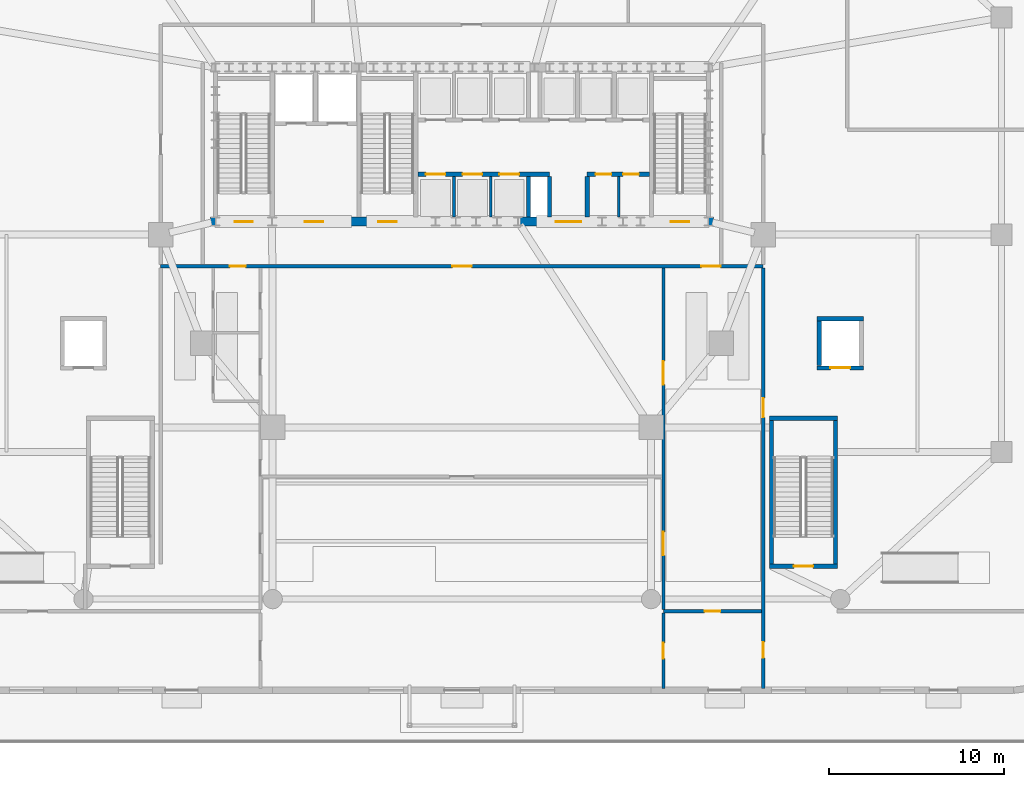
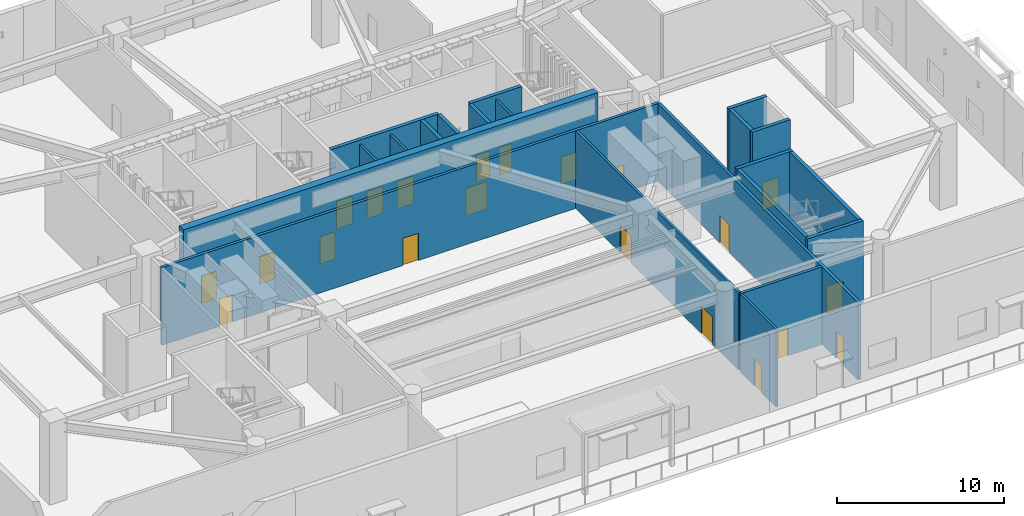
# One storey, part 9 of 21: 21 doors, 21 walls, 21 openings.
"""IFC4 building model written with IfcOpenShell, lengths in metres."""

from ifc_helpers import new_model, si_unit, direction, frame, frame_2d, origin, place, context, subcontext, project, spatial, rectangle, extrude, material, layer, layer_set, type_object, element, fill, save


model = new_model("IFC4")

# Units and contexts
model_context = context("Model", 3, precision=1e-05, world=origin(), true_north=direction((0.0, 1.0)))
body_context = subcontext(model_context, "Body", "Model", "MODEL_VIEW")
ifc_project = project(units=[si_unit("LENGTHUNIT", "METRE"), si_unit("AREAUNIT", "SQUARE_METRE"), si_unit("VOLUMEUNIT", "CUBIC_METRE"), si_unit("PLANEANGLEUNIT", "RADIAN"), si_unit("MASSUNIT", "GRAM", prefix="KILO")], contexts=[model_context])

# Site, building, storey
site_placement = place(None, origin())
site = spatial("IfcSite", under=ifc_project, at=site_placement, CompositionType="ELEMENT")
building_placement = place(site_placement, origin())
building = spatial("IfcBuilding", under=site, at=building_placement, Name="Haldorwick Loom Tower", CompositionType="ELEMENT")
storey_placement = place(building_placement, origin())
storey = spatial("IfcBuildingStorey", under=building, at=storey_placement, Name="L00", CompositionType="ELEMENT", Elevation=0.0)

# Wall, opening, door
ifc_material_1 = material(Name="Fire-Rated Type X Gypsum Stud Assembly EI 60")
ifc_layer_1 = layer(ifc_material_1, 0.159912109375, Name="Fire-Rated Type X Gypsum Stud Assembly EI 60")
ifc_layer_set_1 = layer_set([ifc_layer_1], Name="Fire-Rated Type X Gypsum Stud Assembly EI 60")
wall_type_1 = type_object("IfcWallType", Name="ARC-WL-FIRE160", PredefinedType="PARTITIONING", material=ifc_layer_set_1)
wall_1_placement = place(storey_placement, frame((47.5, 0.10009765625, 0.0), z_axis=(0.0, 0.0, 1.0), x_axis=(0.0, 1.0, 0.0)))
wall_1 = element("IfcWall", 1, at=wall_1_placement, inside=storey, type_object=wall_type_1, Name="L00 Podium Partition L00-W2", PredefinedType="PARTITIONING", context=body_context, shape_type="SweptSolid", body=[
    extrude(rectangle(XDim=4.296875, YDim=0.159912109375, at=frame_2d((2.1484375, 0.0))), origin(), (0.0, 0.0, 1.0), 5.68505859375),
])
opening_1_placement = place(wall_1_placement, frame((1.698486328125, 0.0, 0.0)))
opening_1 = element("IfcOpeningElement", 2, at=opening_1_placement, cuts=wall_1, Name="Opening D-FD60A", PredefinedType="OPENING", context=body_context, shape_type="SweptSolid", body=[
    extrude(rectangle(XDim=0.89990234375, YDim=2.0, at=frame_2d((0.449951171875, 1.0))), frame((0.0, 0.08984375, 0.0), z_axis=(0.0, -1.0, 0.0), x_axis=(1.0, 0.0, 0.0)), (0.0, 0.0, 1.0), 0.179931640625),
])
ifc_material_2 = material(Name="Hollow Steel Fire Door Assembly", Category="steel")
door_type_1 = type_object("IfcDoorType", Name="ARC-DR-FD60-90", OperationType="NOTDEFINED", PredefinedType="DOOR", material=ifc_material_2)
door_1_placement = place(opening_1_placement, origin())
door_1 = element("IfcDoor", 3, at=door_1_placement, inside=storey, type_object=door_type_1, Name="L00 Transit Station Concourse to Fire Command Room Door", OperationType="SINGLE_SWING_LEFT", OverallHeight=2.0, OverallWidth=0.89990234375, PredefinedType="DOOR", context=body_context, shape_type="SweptSolid", body=[
    extrude(rectangle(XDim=0.89990234375, YDim=2.0, at=frame_2d((0.449951171875, 1.0))), frame((0.0, 0.02490234375, 0.0), z_axis=(0.0, -1.0, 0.0), x_axis=(1.0, 0.0, 0.0)), (0.0, 0.0, 1.0), 0.050048828125),
])
fill(opening_1, door_1)

# Wall, openings, doors
wall_2_placement = place(storey_placement, frame((47.5, 4.60302734375, 0.0), z_axis=(0.0, 0.0, 1.0), x_axis=(0.0, 1.0, 0.0)))
wall_2 = element("IfcWall", 4, at=wall_2_placement, inside=storey, type_object=wall_type_1, Name="L00 Podium Partition L00-W2", PredefinedType="PARTITIONING", context=body_context, shape_type="SweptSolid", body=[
    extrude(rectangle(XDim=19.493896484375, YDim=0.159912109375, at=frame_2d((9.7470703125, 0.0))), origin(), (0.0, 0.0, 1.0), 5.68505859375),
])
opening_2_placement = place(wall_2_placement, frame((12.837890625, 0.0, 0.0)))
opening_2 = element("IfcOpeningElement", 5, at=opening_2_placement, cuts=wall_2, Name="Opening D-CR15", PredefinedType="OPENING", context=body_context, shape_type="SweptSolid", body=[
    extrude(rectangle(XDim=1.35009765625, YDim=2.0, at=frame_2d((0.675048828125, 1.0))), frame((0.0, 0.08984375, 0.0), z_axis=(0.0, -1.0, 0.0), x_axis=(1.0, 0.0, 0.0)), (0.0, 0.0, 1.0), 0.179931640625),
])
opening_3_placement = place(wall_2_placement, frame((3.0908203125, 0.0, 0.0)))
opening_3 = element("IfcOpeningElement", 6, at=opening_3_placement, cuts=wall_2, Name="Opening D-CR15", PredefinedType="OPENING", context=body_context, shape_type="SweptSolid", body=[
    extrude(rectangle(XDim=1.35009765625, YDim=2.0, at=frame_2d((0.675048828125, 1.0))), frame((0.0, 0.08984375, 0.0), z_axis=(0.0, -1.0, 0.0), x_axis=(1.0, 0.0, 0.0)), (0.0, 0.0, 1.0), 0.179931640625),
])
ifc_material_3 = material(Name="Thermally Broken Anodized Aluminium and Tempered Glass", Category="aluminium")
door_type_2 = type_object("IfcDoorType", Name="ARC-DR-COR150", OperationType="NOTDEFINED", PredefinedType="DOOR", material=ifc_material_3)
door_2_placement = place(opening_2_placement, origin())
door_2 = element("IfcDoor", 7, at=door_2_placement, inside=storey, type_object=door_type_2, Name="L00 Paid Transit Concourse to Health Clinic Ground Lobby Door", OperationType="DOUBLE_DOOR_SINGLE_SWING", OverallHeight=2.0, OverallWidth=1.35009765625, PredefinedType="DOOR", context=body_context, shape_type="SweptSolid", body=[
    extrude(rectangle(XDim=1.35009765625, YDim=2.0, at=frame_2d((0.675048828125, 1.0))), frame((0.0, 0.02490234375, 0.0), z_axis=(0.0, -1.0, 0.0), x_axis=(1.0, 0.0, 0.0)), (0.0, 0.0, 1.0), 0.050048828125),
])
fill(opening_2, door_2)
door_3_placement = place(opening_3_placement, origin())
door_3 = element("IfcDoor", 8, at=door_3_placement, inside=storey, type_object=door_type_2, Name="L00 Transit Station Concourse to Health Clinic Ground Lobby Door", OperationType="DOUBLE_DOOR_SINGLE_SWING", OverallHeight=2.0, OverallWidth=1.35009765625, PredefinedType="DOOR", context=body_context, shape_type="SweptSolid", body=[
    extrude(rectangle(XDim=1.35009765625, YDim=2.0, at=frame_2d((0.675048828125, 1.0))), frame((0.0, 0.02490234375, 0.0), z_axis=(0.0, -1.0, 0.0), x_axis=(1.0, 0.0, 0.0)), (0.0, 0.0, 1.0), 0.050048828125),
])
fill(opening_3, door_3)

ifc_material_4 = material(Name="Fire-Rated Type X Gypsum Stud Assembly EI 120")
ifc_layer_2 = layer(ifc_material_4, 0.199951171875, Name="Fire-Rated Type X Gypsum Stud Assembly EI 120")
ifc_layer_set_2 = layer_set([ifc_layer_2], Name="Fire-Rated Type X Gypsum Stud Assembly EI 120")
wall_type_2 = type_object("IfcWallType", Name="ARC-WL-FIRE200", PredefinedType="PARTITIONING", material=ifc_layer_set_2)
wall_3_placement = place(storey_placement, frame((18.800048828125, 24.199951171875, 0.0), z_axis=(0.0, 0.0, 1.0), x_axis=(1.0, 0.0, 0.0)))
wall_3 = element("IfcWall", 9, at=wall_3_placement, inside=storey, type_object=wall_type_2, Name="L00 Podium Partition L00-EP1", PredefinedType="PARTITIONING", context=body_context, shape_type="SweptSolid", body=[
    extrude(rectangle(XDim=34.39990234375, YDim=0.199951171875, at=frame_2d((17.199951171875, 0.0))), origin(), (0.0, 0.0, 1.0), 5.68505859375),
])
opening_4_placement = place(wall_3_placement, frame((16.64990234375, 0.0, 0.0)))
opening_4 = element("IfcOpeningElement", 10, at=opening_4_placement, cuts=wall_3, Name="Opening D-FD90", PredefinedType="OPENING", context=body_context, shape_type="SweptSolid", body=[
    extrude(rectangle(XDim=1.10009765625, YDim=2.0, at=frame_2d((0.550048828125, 1.0))), frame((0.0, 0.10986328125, 0.0), z_axis=(0.0, -1.0, 0.0), x_axis=(1.0, 0.0, 0.0)), (0.0, 0.0, 1.0), 0.219970703125),
])
opening_5_placement = place(wall_3_placement, frame((30.863525390625, 0.0, 0.0)))
opening_5 = element("IfcOpeningElement", 11, at=opening_5_placement, cuts=wall_3, Name="Opening D-FD90", PredefinedType="OPENING", context=body_context, shape_type="SweptSolid", body=[
    extrude(rectangle(XDim=1.10009765625, YDim=2.0, at=frame_2d((0.550048828125, 1.0))), frame((0.0, 0.10986328125, 0.0), z_axis=(0.0, -1.0, 0.0), x_axis=(1.0, 0.0, 0.0)), (0.0, 0.0, 1.0), 0.219970703125),
])
opening_6_placement = place(wall_3_placement, frame((3.960205078125, 0.0, 0.0)))
opening_6 = element("IfcOpeningElement", 12, at=opening_6_placement, cuts=wall_3, Name="Opening D-FD60A", PredefinedType="OPENING", context=body_context, shape_type="SweptSolid", body=[
    extrude(rectangle(XDim=0.89990234375, YDim=2.0, at=frame_2d((0.449951171875, 1.0))), frame((0.0, 0.10986328125, 0.0), z_axis=(0.0, -1.0, 0.0), x_axis=(1.0, 0.0, 0.0)), (0.0, 0.0, 1.0), 0.219970703125),
])
door_4_placement = place(opening_6_placement, origin())
door_4 = element("IfcDoor", 13, at=door_4_placement, inside=storey, type_object=door_type_1, Name="L00 Protected Core Exit Passageway to Accessible WC Door", OperationType="SINGLE_SWING_RIGHT", OverallHeight=2.0, OverallWidth=0.89990234375, PredefinedType="DOOR", context=body_context, shape_type="SweptSolid", body=[
    extrude(rectangle(XDim=0.89990234375, YDim=2.0, at=frame_2d((0.449951171875, 1.0))), frame((0.0, 0.02490234375, 0.0), z_axis=(0.0, -1.0, 0.0), x_axis=(1.0, 0.0, 0.0)), (0.0, 0.0, 1.0), 0.050048828125),
])
fill(opening_6, door_4)
door_type_3 = type_object("IfcDoorType", Name="ARC-DR-FD90", OperationType="NOTDEFINED", PredefinedType="DOOR", material=ifc_material_2)
door_5_placement = place(opening_4_placement, frame((1.10009765625, 0.0, 0.0), z_axis=(0.0, 0.0, 1.0), x_axis=(-1.0, 0.0, 0.0)))
door_5 = element("IfcDoor", 14, at=door_5_placement, inside=storey, type_object=door_type_3, Name="L00 Protected Core Exit Passageway to Paid Transit Concourse Door", OperationType="SINGLE_SWING_RIGHT", OverallHeight=2.0, OverallWidth=1.10009765625, PredefinedType="DOOR", context=body_context, shape_type="SweptSolid", body=[
    extrude(rectangle(XDim=1.10009765625, YDim=2.0, at=frame_2d((0.550048828125, 1.0))), frame((0.0, 0.02490234375, 0.0), z_axis=(0.0, -1.0, 0.0), x_axis=(1.0, 0.0, 0.0)), (0.0, 0.0, 1.0), 0.050048828125),
])
fill(opening_4, door_5)
door_6_placement = place(opening_5_placement, frame((1.10009765625, 0.0, 0.0), z_axis=(0.0, 0.0, 1.0), x_axis=(-1.0, 0.0, 0.0)))
door_6 = element("IfcDoor", 15, at=door_6_placement, inside=storey, type_object=door_type_3, Name="L00 Protected Core Exit Passageway to Health Clinic Ground Lobby Door", OperationType="SINGLE_SWING_LEFT", OverallHeight=2.0, OverallWidth=1.10009765625, PredefinedType="DOOR", context=body_context, shape_type="SweptSolid", body=[
    extrude(rectangle(XDim=1.10009765625, YDim=2.0, at=frame_2d((0.550048828125, 1.0))), frame((0.0, 0.02490234375, 0.0), z_axis=(0.0, -1.0, 0.0), x_axis=(1.0, 0.0, 0.0)), (0.0, 0.0, 1.0), 0.050048828125),
])
fill(opening_5, door_6)

wall_4_placement = place(storey_placement, frame((53.199951171875, 0.10009765625, 0.0), z_axis=(0.0, 0.0, 1.0), x_axis=(0.0, 1.0, 0.0)))
wall_4 = element("IfcWall", 16, at=wall_4_placement, inside=storey, type_object=wall_type_2, Name="L00 Podium Partition L00-EPE1", PredefinedType="PARTITIONING", context=body_context, shape_type="SweptSolid", body=[
    extrude(rectangle(XDim=23.996826171875, YDim=0.199951171875, at=frame_2d((11.99853515625, 0.0))), origin(), (0.0, 0.0, 1.0), 5.68505859375),
])
opening_7_placement = place(wall_4_placement, frame((15.4794921875, 0.0, 0.0)))
opening_7 = element("IfcOpeningElement", 17, at=opening_7_placement, cuts=wall_4, Name="Opening D-FD90", PredefinedType="OPENING", context=body_context, shape_type="SweptSolid", body=[
    extrude(rectangle(XDim=1.10009765625, YDim=2.0, at=frame_2d((0.550048828125, 1.0))), frame((0.0, 0.10986328125, 0.0), z_axis=(0.0, -1.0, 0.0), x_axis=(1.0, 0.0, 0.0)), (0.0, 0.0, 1.0), 0.219970703125),
])
opening_8_placement = place(wall_4_placement, frame((1.751708984375, 0.0, 0.0)))
opening_8 = element("IfcOpeningElement", 18, at=opening_8_placement, cuts=wall_4, Name="Opening D-FD60A", PredefinedType="OPENING", context=body_context, shape_type="SweptSolid", body=[
    extrude(rectangle(XDim=0.89990234375, YDim=2.0, at=frame_2d((0.449951171875, 1.0))), frame((0.0, 0.10986328125, 0.0), z_axis=(0.0, -1.0, 0.0), x_axis=(1.0, 0.0, 0.0)), (0.0, 0.0, 1.0), 0.219970703125),
])
door_7_placement = place(opening_8_placement, frame((0.89990234375, 0.0, 0.0), z_axis=(0.0, 0.0, 1.0), x_axis=(-1.0, 0.0, 0.0)))
door_7 = element("IfcDoor", 19, at=door_7_placement, inside=storey, type_object=door_type_1, Name="L00 Fire Command Room to East Podium Exit Passageway Door", OperationType="SINGLE_SWING_RIGHT", OverallHeight=2.0, OverallWidth=0.89990234375, PredefinedType="DOOR", context=body_context, shape_type="SweptSolid", body=[
    extrude(rectangle(XDim=0.89990234375, YDim=2.0, at=frame_2d((0.449951171875, 1.0))), frame((0.0, 0.02490234375, 0.0), z_axis=(0.0, -1.0, 0.0), x_axis=(1.0, 0.0, 0.0)), (0.0, 0.0, 1.0), 0.050048828125),
])
fill(opening_8, door_7)
door_8_placement = place(opening_7_placement, origin())
door_8 = element("IfcDoor", 20, at=door_8_placement, inside=storey, type_object=door_type_3, Name="L00 Health Clinic Ground Lobby to East Podium Exit Passageway Door", OperationType="SINGLE_SWING_RIGHT", OverallHeight=2.0, OverallWidth=1.10009765625, PredefinedType="DOOR", context=body_context, shape_type="SweptSolid", body=[
    extrude(rectangle(XDim=1.10009765625, YDim=2.0, at=frame_2d((0.550048828125, 1.0))), frame((0.0, 0.02490234375, 0.0), z_axis=(0.0, -1.0, 0.0), x_axis=(1.0, 0.0, 0.0)), (0.0, 0.0, 1.0), 0.050048828125),
])
fill(opening_7, door_8)

# Wall, opening, door
wall_5_placement = place(storey_placement, frame((47.5, 4.5, 0.0), z_axis=(0.0, 0.0, 1.0), x_axis=(1.0, 0.0, 0.0)))
wall_5 = element("IfcWall", 21, at=wall_5_placement, inside=storey, type_object=wall_type_2, Name="L00 Podium Partition L00-FCN", PredefinedType="PARTITIONING", context=body_context, shape_type="SweptSolid", body=[
    extrude(rectangle(XDim=5.596923828125, YDim=0.199951171875, at=frame_2d((2.79833984375, 0.0))), origin(), (0.0, 0.0, 1.0), 5.68505859375),
])
opening_9_placement = place(wall_5_placement, frame((2.348388671875, 0.0, 0.0)))
opening_9 = element("IfcOpeningElement", 22, at=opening_9_placement, cuts=wall_5, Name="Opening D-FD60A", PredefinedType="OPENING", context=body_context, shape_type="SweptSolid", body=[
    extrude(rectangle(XDim=0.89990234375, YDim=2.0, at=frame_2d((0.449951171875, 1.0))), frame((0.0, 0.10986328125, 0.0), z_axis=(0.0, -1.0, 0.0), x_axis=(1.0, 0.0, 0.0)), (0.0, 0.0, 1.0), 0.219970703125),
])
door_9_placement = place(opening_9_placement, origin())
door_9 = element("IfcDoor", 23, at=door_9_placement, inside=storey, type_object=door_type_1, Name="L00 Health Clinic Ground Lobby to Fire Command Room Door", OperationType="SINGLE_SWING_LEFT", OverallHeight=2.0, OverallWidth=0.89990234375, PredefinedType="DOOR", context=body_context, shape_type="SweptSolid", body=[
    extrude(rectangle(XDim=0.89990234375, YDim=2.0, at=frame_2d((0.449951171875, 1.0))), frame((0.0, 0.02490234375, 0.0), z_axis=(0.0, -1.0, 0.0), x_axis=(1.0, 0.0, 0.0)), (0.0, 0.0, 1.0), 0.050048828125),
])
fill(opening_9, door_9)

# Walls
ifc_layer_3 = layer(ifc_material_1, 0.139892578125, Name="Fire-Rated Type X Gypsum Stud Assembly EI 60")
ifc_layer_set_3 = layer_set([ifc_layer_3], Name="Fire-Rated Type X Gypsum Stud Assembly EI 60")
wall_type_3 = type_object("IfcWallType", Name="ARC-WL-PART140", PredefinedType="PARTITIONING", material=ifc_layer_set_3)
wall_6_placement = place(storey_placement, frame((44.949951171875, 27.0029296875, 0.0), z_axis=(0.0, 0.0, 1.0), x_axis=(0.0, 1.0, 0.0)))
element("IfcWall", 24, at=wall_6_placement, inside=storey, type_object=wall_type_3, Name="L00 Service Partition", PredefinedType="PARTITIONING", context=body_context, shape_type="SweptSolid", body=[
    extrude(rectangle(XDim=2.323974609375, YDim=0.139892578125, at=frame_2d((1.162109375, 0.0))), origin(), (0.0, 0.0, 1.0), 5.68505859375),
])
ifc_layer_4 = layer(ifc_material_4, 0.1650390625, Name="Fire-Rated Type X Gypsum Stud Assembly EI 120")
ifc_layer_set_4 = layer_set([ifc_layer_4], Name="Fire-Rated Type X Gypsum Stud Assembly EI 120")
wall_type_4 = type_object("IfcWallType", Name="ARC-WL-SHAFT160", PredefinedType="MOVABLE", material=ifc_layer_set_4)
for number, where, z_axis, x_axis, name in (
    (25, (35.550048828125, 27.0029296875, 0.0), (0.0, 0.0, 1.0), (0.0, 1.0, 0.0), "L00 Mid-Rise Hoistway Divider 1"),
    (26, (37.64990234375, 27.0029296875, 0.0), (0.0, 0.0, 1.0), (0.0, 1.0, 0.0), "L00 Mid-Rise Hoistway Divider 2"),
):
    element("IfcWall", number, at=place(storey_placement, frame(where, z_axis=z_axis, x_axis=x_axis)), inside=storey, type_object=wall_type_4, Name=name, PredefinedType="MOVABLE", context=body_context, shape_type="SweptSolid", body=[
        extrude(rectangle(XDim=2.323974609375, YDim=0.159912109375, at=frame_2d((1.162109375, 0.0))), origin(), (0.0, 0.0, 1.0), 5.68505859375),
    ])

# Wall, openings, doors
ifc_material_5 = material(Name="Concrete C60 (60 MPa)", Category="concrete")
ifc_layer_5 = layer(ifc_material_5, 0.5, Name="Concrete C60 (60 MPa)", Category="concrete")
ifc_layer_set_5 = layer_set([ifc_layer_5], Name="Concrete C60 (60 MPa)")
wall_type_5 = type_object("IfcWallType", Name="STR-WL-CORE500", PredefinedType="SHEAR", material=ifc_layer_set_5)
wall_7_placement = place(storey_placement, frame((21.64990234375, 26.75, 0.0), z_axis=(0.0, 0.0, 1.0), x_axis=(1.0, 0.0, 0.0)))
wall_7 = element("IfcWall", 27, at=wall_7_placement, inside=storey, type_object=wall_type_5, Name="L00 Core Shear Wall S", PredefinedType="SHEAR", context=body_context, shape_type="SweptSolid", body=[
    extrude(rectangle(XDim=28.7001953125, YDim=0.5, at=frame_2d((14.35009765625, 0.0))), origin(), (0.0, 0.0, 1.0), 6.0),
])
opening_10_placement = place(wall_7_placement, frame((1.375, 0.0, 0.0)))
opening_10 = element("IfcOpeningElement", 28, at=opening_10_placement, cuts=wall_7, Name="Opening D-FD60", PredefinedType="OPENING", context=body_context, shape_type="SweptSolid", body=[
    extrude(rectangle(XDim=1.050048828125, YDim=2.0, at=frame_2d((0.52490234375, 1.0))), frame((0.0, 0.260009765625, 0.0), z_axis=(0.0, -1.0, 0.0), x_axis=(1.0, 0.0, 0.0)), (0.0, 0.0, 1.0), 0.52001953125),
])
opening_11_placement = place(wall_7_placement, frame((5.375, 0.0, 0.0)))
opening_11 = element("IfcOpeningElement", 29, at=opening_11_placement, cuts=wall_7, Name="Opening D-FD60", PredefinedType="OPENING", context=body_context, shape_type="SweptSolid", body=[
    extrude(rectangle(XDim=1.050048828125, YDim=2.0, at=frame_2d((0.52490234375, 1.0))), frame((0.0, 0.260009765625, 0.0), z_axis=(0.0, -1.0, 0.0), x_axis=(1.0, 0.0, 0.0)), (0.0, 0.0, 1.0), 0.52001953125),
])
opening_12_placement = place(wall_7_placement, frame((9.574951171875, 0.0, 0.0)))
opening_12 = element("IfcOpeningElement", 30, at=opening_12_placement, cuts=wall_7, Name="Opening D-FD60", PredefinedType="OPENING", context=body_context, shape_type="SweptSolid", body=[
    extrude(rectangle(XDim=1.050048828125, YDim=2.0, at=frame_2d((0.52490234375, 1.0))), frame((0.0, 0.260009765625, 0.0), z_axis=(0.0, -1.0, 0.0), x_axis=(1.0, 0.0, 0.0)), (0.0, 0.0, 1.0), 0.52001953125),
])
opening_13_placement = place(wall_7_placement, frame((19.705078125, 0.0, 0.0)))
opening_13 = element("IfcOpeningElement", 31, at=opening_13_placement, cuts=wall_7, Name="Opening D-LB15", PredefinedType="OPENING", context=body_context, shape_type="SweptSolid", body=[
    extrude(rectangle(XDim=1.449951171875, YDim=2.0, at=frame_2d((0.72509765625, 1.0))), frame((0.0, 0.260009765625, 0.0), z_axis=(0.0, -1.0, 0.0), x_axis=(1.0, 0.0, 0.0)), (0.0, 0.0, 1.0), 0.52001953125),
])
opening_14_placement = place(wall_7_placement, frame((26.27490234375, 0.0, 0.0)))
opening_14 = element("IfcOpeningElement", 32, at=opening_14_placement, cuts=wall_7, Name="Opening D-FD60", PredefinedType="OPENING", context=body_context, shape_type="SweptSolid", body=[
    extrude(rectangle(XDim=1.050048828125, YDim=2.0, at=frame_2d((0.52490234375, 1.0))), frame((0.0, 0.260009765625, 0.0), z_axis=(0.0, -1.0, 0.0), x_axis=(1.0, 0.0, 0.0)), (0.0, 0.0, 1.0), 0.52001953125),
])
door_type_4 = type_object("IfcDoorType", Name="ARC-DR-FD60", OperationType="NOTDEFINED", PredefinedType="DOOR", material=ifc_material_2)
door_10_placement = place(opening_10_placement, frame((1.050048828125, 0.0, 0.0), z_axis=(0.0, 0.0, 1.0), x_axis=(-1.0, 0.0, 0.0)))
door_10 = element("IfcDoor", 33, at=door_10_placement, inside=storey, type_object=door_type_4, Name="L00 Exit Stair ST-01 Fire Door", OperationType="SINGLE_SWING_RIGHT", OverallHeight=2.0, OverallWidth=1.050048828125, PredefinedType="DOOR", context=body_context, shape_type="SweptSolid", body=[
    extrude(rectangle(XDim=1.050048828125, YDim=2.0, at=frame_2d((0.52490234375, 1.0))), frame((0.0, 0.02490234375, 0.0), z_axis=(0.0, -1.0, 0.0), x_axis=(1.0, 0.0, 0.0)), (0.0, 0.0, 1.0), 0.050048828125),
])
fill(opening_10, door_10)
door_11_placement = place(opening_11_placement, frame((1.050048828125, 0.0, 0.0), z_axis=(0.0, 0.0, 1.0), x_axis=(-1.0, 0.0, 0.0)))
door_11 = element("IfcDoor", 34, at=door_11_placement, inside=storey, type_object=door_type_4, Name="L00 Firefighting Lift Lobby Fire Door", OperationType="SINGLE_SWING_LEFT", OverallHeight=2.0, OverallWidth=1.050048828125, PredefinedType="DOOR", context=body_context, shape_type="SweptSolid", body=[
    extrude(rectangle(XDim=1.050048828125, YDim=2.0, at=frame_2d((0.52490234375, 1.0))), frame((0.0, 0.02490234375, 0.0), z_axis=(0.0, -1.0, 0.0), x_axis=(1.0, 0.0, 0.0)), (0.0, 0.0, 1.0), 0.050048828125),
])
fill(opening_11, door_11)
door_12_placement = place(opening_12_placement, frame((1.050048828125, 0.0, 0.0), z_axis=(0.0, 0.0, 1.0), x_axis=(-1.0, 0.0, 0.0)))
door_12 = element("IfcDoor", 35, at=door_12_placement, inside=storey, type_object=door_type_4, Name="L00 Exit Stair ST-03 Fire Door", OperationType="SINGLE_SWING_LEFT", OverallHeight=2.0, OverallWidth=1.050048828125, PredefinedType="DOOR", context=body_context, shape_type="SweptSolid", body=[
    extrude(rectangle(XDim=1.050048828125, YDim=2.0, at=frame_2d((0.52490234375, 1.0))), frame((0.0, 0.02490234375, 0.0), z_axis=(0.0, -1.0, 0.0), x_axis=(1.0, 0.0, 0.0)), (0.0, 0.0, 1.0), 0.050048828125),
])
fill(opening_12, door_12)
door_13_placement = place(opening_14_placement, frame((1.050048828125, 0.0, 0.0), z_axis=(0.0, 0.0, 1.0), x_axis=(-1.0, 0.0, 0.0)))
door_13 = element("IfcDoor", 36, at=door_13_placement, inside=storey, type_object=door_type_4, Name="L00 Exit Stair ST-02 Fire Door", OperationType="SINGLE_SWING_LEFT", OverallHeight=2.0, OverallWidth=1.050048828125, PredefinedType="DOOR", context=body_context, shape_type="SweptSolid", body=[
    extrude(rectangle(XDim=1.050048828125, YDim=2.0, at=frame_2d((0.52490234375, 1.0))), frame((0.0, 0.02490234375, 0.0), z_axis=(0.0, -1.0, 0.0), x_axis=(1.0, 0.0, 0.0)), (0.0, 0.0, 1.0), 0.050048828125),
])
fill(opening_14, door_13)
door_type_5 = type_object("IfcDoorType", Name="ARC-DR-LOB150", OperationType="NOTDEFINED", PredefinedType="DOOR", material=ifc_material_3)
door_14_placement = place(opening_13_placement, frame((1.449951171875, 0.0, 0.0), z_axis=(0.0, 0.0, 1.0), x_axis=(-1.0, 0.0, 0.0)))
door_14 = element("IfcDoor", 37, at=door_14_placement, inside=storey, type_object=door_type_5, Name="L00 Passenger Lift Lobby Fire Door", OperationType="DOUBLE_DOOR_SINGLE_SWING", OverallHeight=2.0, OverallWidth=1.449951171875, PredefinedType="DOOR", context=body_context, shape_type="SweptSolid", body=[
    extrude(rectangle(XDim=1.449951171875, YDim=2.0, at=frame_2d((0.72509765625, 1.0))), frame((0.0, 0.02490234375, 0.0), z_axis=(0.0, -1.0, 0.0), x_axis=(1.0, 0.0, 0.0)), (0.0, 0.0, 1.0), 0.050048828125),
])
fill(opening_13, door_14)

ifc_material_6 = material(Name="Concrete C50 (50 MPa)", Category="concrete")
ifc_layer_6 = layer(ifc_material_6, 0.239990234375, Name="Concrete C50 (50 MPa)", Category="concrete")
ifc_layer_set_6 = layer_set([ifc_layer_6], Name="Concrete C50 (50 MPa)")
wall_type_6 = type_object("IfcWallType", Name="STR-WL-SHAFT240", PredefinedType="SHEAR", material=ifc_layer_set_6)
wall_8_placement = place(storey_placement, frame((33.492919921875, 29.449951171875, 0.0), z_axis=(0.0, 0.0, 1.0), x_axis=(1.0, 0.0, 0.0)))
wall_8 = element("IfcWall", 38, at=wall_8_placement, inside=storey, type_object=wall_type_6, Name="L00 Core Shear Wall LS1", PredefinedType="SHEAR", context=body_context, shape_type="SweptSolid", body=[
    extrude(rectangle(XDim=7.507080078125, YDim=0.239990234375, at=frame_2d((3.75341796875, 0.0))), origin(), (0.0, 0.0, 1.0), 6.0),
])
opening_15_placement = place(wall_8_placement, frame((0.447021484375, 0.0, 0.0)))
opening_15 = element("IfcOpeningElement", 39, at=opening_15_placement, cuts=wall_8, Name="Opening LD-M1", PredefinedType="OPENING", context=body_context, shape_type="SweptSolid", body=[
    extrude(rectangle(XDim=1.1201171875, YDim=2.0, at=frame_2d((0.56005859375, 1.0))), frame((0.0, 0.1298828125, 0.0), z_axis=(0.0, -1.0, 0.0), x_axis=(1.0, 0.0, 0.0)), (0.0, 0.0, 1.0), 0.260009765625),
])
opening_16_placement = place(wall_8_placement, frame((2.547119140625, 0.0, 0.0)))
opening_16 = element("IfcOpeningElement", 40, at=opening_16_placement, cuts=wall_8, Name="Opening LD-M2", PredefinedType="OPENING", context=body_context, shape_type="SweptSolid", body=[
    extrude(rectangle(XDim=1.1201171875, YDim=2.0, at=frame_2d((0.56005859375, 1.0))), frame((0.0, 0.1298828125, 0.0), z_axis=(0.0, -1.0, 0.0), x_axis=(1.0, 0.0, 0.0)), (0.0, 0.0, 1.0), 0.260009765625),
])
opening_17_placement = place(wall_8_placement, frame((4.64697265625, 0.0, 0.0)))
opening_17 = element("IfcOpeningElement", 41, at=opening_17_placement, cuts=wall_8, Name="Opening LD-M3", PredefinedType="OPENING", context=body_context, shape_type="SweptSolid", body=[
    extrude(rectangle(XDim=1.1201171875, YDim=2.0, at=frame_2d((0.56005859375, 1.0))), frame((0.0, 0.1298828125, 0.0), z_axis=(0.0, -1.0, 0.0), x_axis=(1.0, 0.0, 0.0)), (0.0, 0.0, 1.0), 0.260009765625),
])
door_type_6 = type_object("IfcDoorType", Name="ARC-DR-LD-PAX", OperationType="NOTDEFINED", PredefinedType="USERDEFINED", material=ifc_material_2)
door_15_placement = place(opening_15_placement, origin())
door_15 = element("IfcDoor", 42, at=door_15_placement, inside=storey, type_object=door_type_6, Name="L00 Lift LF-M1 Sliding Landing Door", ObjectType="LANDING DOOR", OperationType="DOUBLE_DOOR_SLIDING", OverallHeight=2.0, OverallWidth=1.1201171875, PredefinedType="USERDEFINED", context=body_context, shape_type="SweptSolid", body=[
    extrude(rectangle(XDim=1.1201171875, YDim=2.0, at=frame_2d((0.56005859375, 1.0))), frame((0.0, 0.02490234375, 0.0), z_axis=(0.0, -1.0, 0.0), x_axis=(1.0, 0.0, 0.0)), (0.0, 0.0, 1.0), 0.050048828125),
])
fill(opening_15, door_15)
door_16_placement = place(opening_16_placement, origin())
door_16 = element("IfcDoor", 43, at=door_16_placement, inside=storey, type_object=door_type_6, Name="L00 Lift LF-M2 Sliding Landing Door", ObjectType="LANDING DOOR", OperationType="DOUBLE_DOOR_SLIDING", OverallHeight=2.0, OverallWidth=1.1201171875, PredefinedType="USERDEFINED", context=body_context, shape_type="SweptSolid", body=[
    extrude(rectangle(XDim=1.1201171875, YDim=2.0, at=frame_2d((0.56005859375, 1.0))), frame((0.0, 0.02490234375, 0.0), z_axis=(0.0, -1.0, 0.0), x_axis=(1.0, 0.0, 0.0)), (0.0, 0.0, 1.0), 0.050048828125),
])
fill(opening_16, door_16)
door_17_placement = place(opening_17_placement, origin())
door_17 = element("IfcDoor", 44, at=door_17_placement, inside=storey, type_object=door_type_6, Name="L00 Lift LF-M3 Sliding Landing Door", ObjectType="LANDING DOOR", OperationType="DOUBLE_DOOR_SLIDING", OverallHeight=2.0, OverallWidth=1.1201171875, PredefinedType="USERDEFINED", context=body_context, shape_type="SweptSolid", body=[
    extrude(rectangle(XDim=1.1201171875, YDim=2.0, at=frame_2d((0.56005859375, 1.0))), frame((0.0, 0.02490234375, 0.0), z_axis=(0.0, -1.0, 0.0), x_axis=(1.0, 0.0, 0.0)), (0.0, 0.0, 1.0), 0.050048828125),
])
fill(opening_17, door_17)

wall_9_placement = place(storey_placement, frame((43.14990234375, 29.449951171875, 0.0), z_axis=(0.0, 0.0, 1.0), x_axis=(1.0, 0.0, 0.0)))
wall_9 = element("IfcWall", 45, at=wall_9_placement, inside=storey, type_object=wall_type_6, Name="L00 Core Shear Wall LS2", PredefinedType="SHEAR", context=body_context, shape_type="SweptSolid", body=[
    extrude(rectangle(XDim=3.55712890625, YDim=0.239990234375, at=frame_2d((1.778564453125, 0.0))), origin(), (0.0, 0.0, 1.0), 6.0),
])
opening_18_placement = place(wall_9_placement, frame((0.47998046875, 0.0, 0.0)))
opening_18 = element("IfcOpeningElement", 46, at=opening_18_placement, cuts=wall_9, Name="Opening D-FD60A", PredefinedType="OPENING", context=body_context, shape_type="SweptSolid", body=[
    extrude(rectangle(XDim=0.89990234375, YDim=2.0, at=frame_2d((0.449951171875, 1.0))), frame((0.0, 0.1298828125, 0.0), z_axis=(0.0, -1.0, 0.0), x_axis=(1.0, 0.0, 0.0)), (0.0, 0.0, 1.0), 0.260009765625),
])
opening_19_placement = place(wall_9_placement, frame((2.050048828125, 0.0, 0.0)))
opening_19 = element("IfcOpeningElement", 47, at=opening_19_placement, cuts=wall_9, Name="Opening D-FD60A", PredefinedType="OPENING", context=body_context, shape_type="SweptSolid", body=[
    extrude(rectangle(XDim=0.89990234375, YDim=2.0, at=frame_2d((0.449951171875, 1.0))), frame((0.0, 0.1298828125, 0.0), z_axis=(0.0, -1.0, 0.0), x_axis=(1.0, 0.0, 0.0)), (0.0, 0.0, 1.0), 0.260009765625),
])
door_18_placement = place(opening_18_placement, origin())
door_18 = element("IfcDoor", 48, at=door_18_placement, inside=storey, type_object=door_type_1, Name="L00 Electrical Room Door", OperationType="SINGLE_SWING_LEFT", OverallHeight=2.0, OverallWidth=0.89990234375, PredefinedType="DOOR", context=body_context, shape_type="SweptSolid", body=[
    extrude(rectangle(XDim=0.89990234375, YDim=2.0, at=frame_2d((0.449951171875, 1.0))), frame((0.0, 0.02490234375, 0.0), z_axis=(0.0, -1.0, 0.0), x_axis=(1.0, 0.0, 0.0)), (0.0, 0.0, 1.0), 0.050048828125),
])
fill(opening_18, door_18)
door_19_placement = place(opening_19_placement, origin())
door_19 = element("IfcDoor", 49, at=door_19_placement, inside=storey, type_object=door_type_1, Name="L00 Cleaner's Store Door", OperationType="SINGLE_SWING_LEFT", OverallHeight=2.0, OverallWidth=0.89990234375, PredefinedType="DOOR", context=body_context, shape_type="SweptSolid", body=[
    extrude(rectangle(XDim=0.89990234375, YDim=2.0, at=frame_2d((0.449951171875, 1.0))), frame((0.0, 0.02490234375, 0.0), z_axis=(0.0, -1.0, 0.0), x_axis=(1.0, 0.0, 0.0)), (0.0, 0.0, 1.0), 0.050048828125),
])
fill(opening_19, door_19)

# Walls
for number, where, z_axis, x_axis, name in (
    (50, (41.0, 27.0029296875, 0.0), (0.0, 0.0, 1.0), (0.0, 1.0, 0.0), "L00 Core Shear Wall THW"),
    (51, (43.14990234375, 27.0029296875, 0.0), (0.0, 0.0, 1.0), (0.0, 1.0, 0.0), "L00 Core Shear Wall THE"),
    (52, (39.800048828125, 27.0029296875, 0.0), (0.0, 0.0, 1.0), (0.0, 1.0, 0.0), "L00 Core Shear Wall MRW"),
):
    element("IfcWall", number, at=place(storey_placement, frame(where, z_axis=z_axis, x_axis=x_axis)), inside=storey, type_object=wall_type_6, Name=name, PredefinedType="SHEAR", context=body_context, shape_type="SweptSolid", body=[
        extrude(rectangle(XDim=2.323974609375, YDim=0.239990234375, at=frame_2d((1.162109375, 0.0))), origin(), (0.0, 0.0, 1.0), 6.0),
    ])

# Wall, opening, door
wall_10_placement = place(storey_placement, frame((53.56005859375, 7.080078125, 0.0), z_axis=(0.0, 0.0, 1.0), x_axis=(1.0, 0.0, 0.0)))
wall_10 = element("IfcWall", 53, at=wall_10_placement, inside=storey, type_object=wall_type_6, Name="L00 Exit Stairwell ST-P2 Wall", PredefinedType="SHEAR", context=body_context, shape_type="SweptSolid", body=[
    extrude(rectangle(XDim=3.8798828125, YDim=0.239990234375, at=frame_2d((1.93994140625, 0.0))), origin(), (0.0, 0.0, 1.0), 6.0),
])
opening_20_placement = place(wall_10_placement, frame((1.389892578125, 0.0, 0.0)))
opening_20 = element("IfcOpeningElement", 54, at=opening_20_placement, cuts=wall_10, Name="Opening D-FD90", PredefinedType="OPENING", context=body_context, shape_type="SweptSolid", body=[
    extrude(rectangle(XDim=1.10009765625, YDim=2.0, at=frame_2d((0.550048828125, 1.0))), frame((0.0, 0.1298828125, 0.0), z_axis=(0.0, -1.0, 0.0), x_axis=(1.0, 0.0, 0.0)), (0.0, 0.0, 1.0), 0.260009765625),
])
door_20_placement = place(opening_20_placement, frame((1.10009765625, 0.0, 0.0), z_axis=(0.0, 0.0, 1.0), x_axis=(-1.0, 0.0, 0.0)))
door_20 = element("IfcDoor", 55, at=door_20_placement, inside=storey, type_object=door_type_3, Name="L00 Exit Stairwell ST-P2 Exit Door", OperationType="SINGLE_SWING_RIGHT", OverallHeight=2.0, OverallWidth=1.10009765625, PredefinedType="DOOR", context=body_context, shape_type="SweptSolid", body=[
    extrude(rectangle(XDim=1.10009765625, YDim=2.0, at=frame_2d((0.550048828125, 1.0))), frame((0.0, 0.02490234375, 0.0), z_axis=(0.0, -1.0, 0.0), x_axis=(1.0, 0.0, 0.0)), (0.0, 0.0, 1.0), 0.050048828125),
])
fill(opening_20, door_20)

# Walls
wall_11_placement = place(storey_placement, frame((57.43994140625, 15.52001953125, 0.0), z_axis=(0.0, 0.0, 1.0), x_axis=(-1.0, 0.0, 0.0)))
element("IfcWall", 56, at=wall_11_placement, inside=storey, type_object=wall_type_6, Name="L00 Exit Stairwell ST-P2 Wall", PredefinedType="SHEAR", context=body_context, shape_type="SweptSolid", body=[
    extrude(rectangle(XDim=3.8798828125, YDim=0.239990234375, at=frame_2d((1.93994140625, 0.0))), origin(), (0.0, 0.0, 1.0), 6.0),
])
for number, where, z_axis, x_axis, name in (
    (57, (53.679931640625, 7.202880859375, 0.0), (0.0, 0.0, 1.0), (0.0, 1.0, 0.0), "L00 Exit Stairwell ST-P2 Wall"),
    (58, (57.320068359375, 7.202880859375, 0.0), (0.0, 0.0, 1.0), (0.0, 1.0, 0.0), "L00 Exit Stairwell ST-P2 Wall"),
):
    element("IfcWall", number, at=place(storey_placement, frame(where, z_axis=z_axis, x_axis=x_axis)), inside=storey, type_object=wall_type_6, Name=name, PredefinedType="SHEAR", context=body_context, shape_type="SweptSolid", body=[
        extrude(rectangle(XDim=8.194091796875, YDim=0.239990234375, at=frame_2d((4.09716796875, 0.0))), origin(), (0.0, 0.0, 1.0), 6.0),
    ])

# Wall, opening, door
wall_12_placement = place(storey_placement, frame((56.280029296875, 18.39990234375, 0.0), z_axis=(0.0, 0.0, 1.0), x_axis=(1.0, 0.0, 0.0)))
wall_12 = element("IfcWall", 59, at=wall_12_placement, inside=storey, type_object=wall_type_6, Name="L00 Podium Lift Shaft LF-P2 Wall", PredefinedType="SHEAR", context=body_context, shape_type="SweptSolid", body=[
    extrude(rectangle(XDim=2.639892578125, YDim=0.239990234375, at=frame_2d((1.31982421875, 0.0))), origin(), (0.0, 0.0, 1.0), 6.0),
])
opening_21_placement = place(wall_12_placement, frame((0.760009765625, 0.0, 0.0)))
opening_21 = element("IfcOpeningElement", 60, at=opening_21_placement, cuts=wall_12, Name="Opening LD-P2", PredefinedType="OPENING", context=body_context, shape_type="SweptSolid", body=[
    extrude(rectangle(XDim=1.1201171875, YDim=2.0, at=frame_2d((0.56005859375, 1.0))), frame((0.0, 0.1298828125, 0.0), z_axis=(0.0, -1.0, 0.0), x_axis=(1.0, 0.0, 0.0)), (0.0, 0.0, 1.0), 0.260009765625),
])
door_21_placement = place(opening_21_placement, origin())
door_21 = element("IfcDoor", 61, at=door_21_placement, inside=storey, type_object=door_type_6, Name="L00 Lift LF-P2 Sliding Landing Door", ObjectType="LANDING DOOR", OperationType="DOUBLE_DOOR_SLIDING", OverallHeight=2.0, OverallWidth=1.1201171875, PredefinedType="USERDEFINED", context=body_context, shape_type="SweptSolid", body=[
    extrude(rectangle(XDim=1.1201171875, YDim=2.0, at=frame_2d((0.56005859375, 1.0))), frame((0.0, 0.02490234375, 0.0), z_axis=(0.0, -1.0, 0.0), x_axis=(1.0, 0.0, 0.0)), (0.0, 0.0, 1.0), 0.050048828125),
])
fill(opening_21, door_21)

# Walls
wall_13_placement = place(storey_placement, frame((58.919921875, 21.199951171875, 0.0), z_axis=(0.0, 0.0, 1.0), x_axis=(-1.0, 0.0, 0.0)))
element("IfcWall", 62, at=wall_13_placement, inside=storey, type_object=wall_type_6, Name="L00 Podium Lift Shaft LF-P2 Wall", PredefinedType="SHEAR", context=body_context, shape_type="SweptSolid", body=[
    extrude(rectangle(XDim=2.639892578125, YDim=0.239990234375, at=frame_2d((1.31982421875, 0.0))), origin(), (0.0, 0.0, 1.0), 6.0),
])
wall_14_placement = place(storey_placement, frame((56.39990234375, 18.52294921875, 0.0), z_axis=(0.0, 0.0, 1.0), x_axis=(0.0, 1.0, 0.0)))
element("IfcWall", 63, at=wall_14_placement, inside=storey, type_object=wall_type_6, Name="L00 Podium Lift Shaft LF-P2 Wall", PredefinedType="SHEAR", context=body_context, shape_type="SweptSolid", body=[
    extrude(rectangle(XDim=2.553955078125, YDim=0.239990234375, at=frame_2d((1.27685546875, 0.0))), origin(), (0.0, 0.0, 1.0), 6.0),
])

save(model, "model.ifc")
